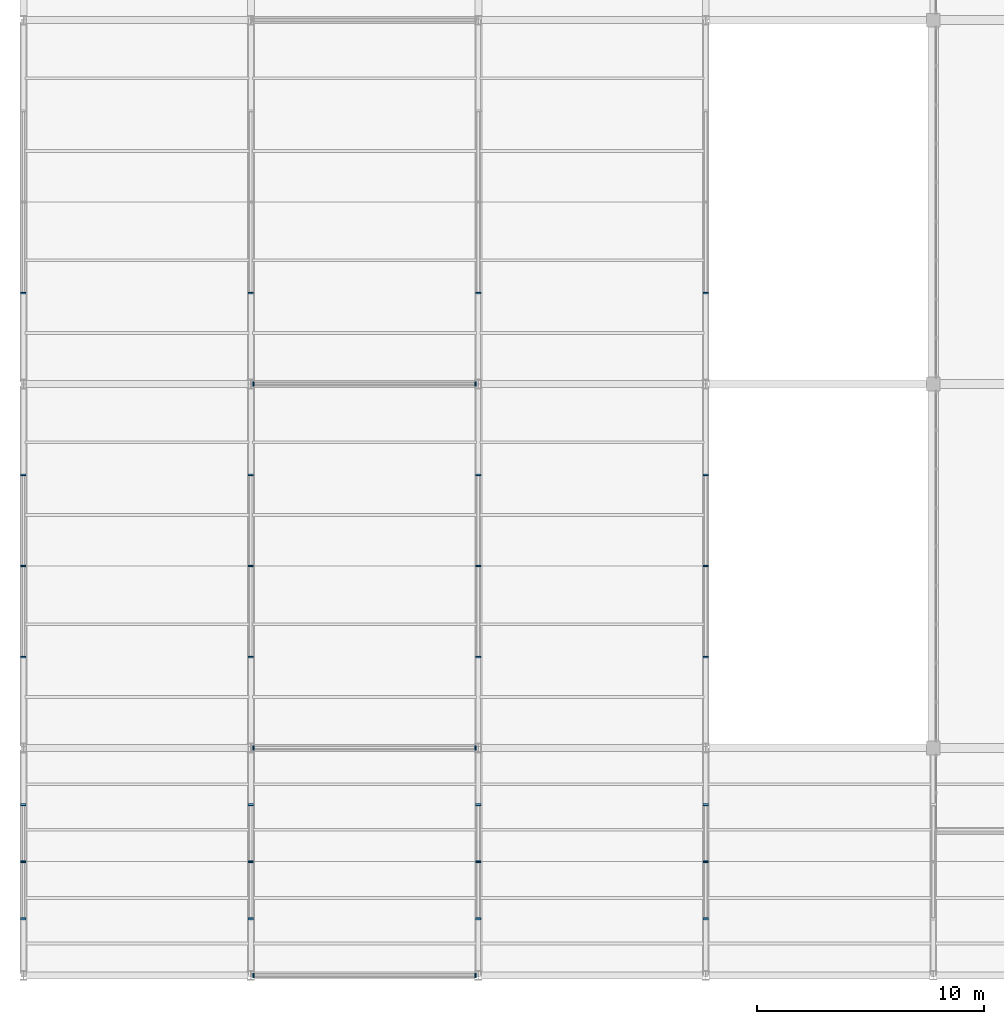
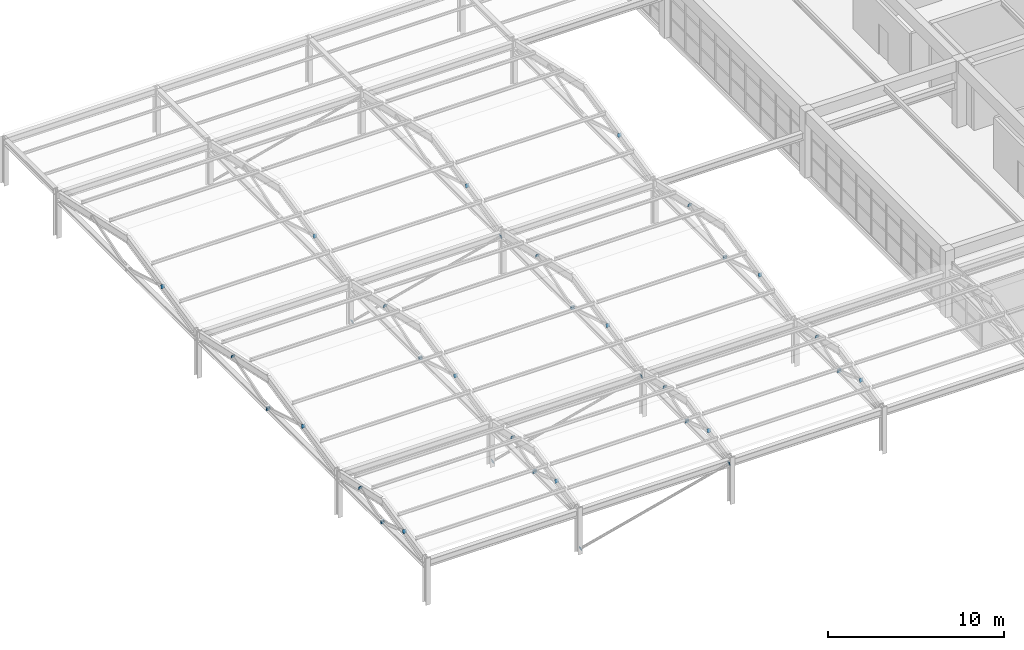
# One storey, part 79 of 109: 42 plates.
"""IFC4 building model written with IfcOpenShell, lengths in metres."""

from ifc_helpers import new_model, si_unit, direction, frame, origin, origin_2d, place, context, subcontext, project, spatial, rectangle, extrude, material, layer, layer_set, type_object, element, save


model = new_model("IFC4")

# Units and contexts
model_context = context("Model", 3, precision=1e-05, world=origin(), true_north=direction((0.0, 1.0)))
body_context = subcontext(model_context, "Body", "Model", "MODEL_VIEW")
ifc_project = project(units=[si_unit("LENGTHUNIT", "METRE"), si_unit("AREAUNIT", "SQUARE_METRE"), si_unit("VOLUMEUNIT", "CUBIC_METRE"), si_unit("PLANEANGLEUNIT", "RADIAN"), si_unit("MASSUNIT", "GRAM", prefix="KILO")], contexts=[model_context])

# Site, building, storey
site_placement = place(None, origin())
site = spatial("IfcSite", under=ifc_project, at=site_placement, CompositionType="ELEMENT")
building_placement = place(site_placement, origin())
building = spatial("IfcBuilding", under=site, at=building_placement, Name="Kivolera Central Railway Station", CompositionType="ELEMENT")
storey_placement = place(building_placement, frame((0.0, 0.0, 9.60009765625)))
storey = spatial("IfcBuildingStorey", under=building, at=storey_placement, Name="L02", CompositionType="ELEMENT", Elevation=9.60009765625)

# Plates
ifc_material = material(Name="Steel S355", Category="steel")
ifc_layer_1 = layer(ifc_material, 0.02001953125, Name="Steel S355")
ifc_layer_set_1 = layer_set([ifc_layer_1], Name="Steel S355")
plate_type_1 = type_object("IfcPlateType", Name="PLT-CAP-210", PredefinedType="SHEET", material=ifc_layer_set_1)
for number, where, z_axis, x_axis, name in (
    (1, (18.123046875, 6.0, 0.2490234375), (0.968639336195, 0.0, 0.24847099705), (0.0, 1.0, 0.0), "Hollow section end-cap plate NP-CAP3"),
    (2, (27.876953125, 6.0, 2.7509765625), (0.968639336195, 0.0, 0.24847099705), (0.0, 1.0, 0.0), "Hollow section end-cap plate NP-CAP3"),
    (3, (18.123046875, 16.0, 0.2490234375), (0.968639336195, 0.0, 0.24847099705), (0.0, 1.0, 0.0), "Hollow section end-cap plate NP-CAP3"),
    (4, (27.876953125, 16.0, 2.7509765625), (0.968639336195, 0.0, 0.24847099705), (0.0, 1.0, 0.0), "Hollow section end-cap plate NP-CAP3"),
    (5, (18.123046875, 32.0, 0.2490234375), (0.968639336195, 0.0, 0.24847099705), (0.0, 1.0, 0.0), "Hollow section end-cap plate NP-CAP3"),
    (6, (27.876953125, 32.0, 2.7509765625), (0.968639336195, 0.0, 0.24847099705), (0.0, 1.0, 0.0), "Hollow section end-cap plate NP-CAP3"),
):
    element("IfcPlate", number, at=place(storey_placement, frame(where, z_axis=z_axis, x_axis=x_axis)), inside=storey, type_object=plate_type_1, Name=name, PredefinedType="SHEET", context=body_context, shape_type="SweptSolid", body=[
        extrude(rectangle(XDim=0.2099609375, YDim=0.2099609375, at=origin_2d()), frame((0.0, 0.0, -0.010009765625)), (0.0, 0.0, 1.0), 0.02001953125),
    ])
ifc_layer_2 = layer(ifc_material, 0.02197265625, Name="Steel S355")
ifc_layer_set_2 = layer_set([ifc_layer_2], Name="Steel S355")
plate_type_2 = type_object("IfcPlateType", Name="PLT-CAP-260", PredefinedType="SHEET", material=ifc_layer_set_2)
for number, where, z_axis, x_axis, name in (
    (7, (8.0, 11.00390625, 2.618896484375), (0.0, -0.946194484088, 0.32359851403), (1.0, 0.0, 0.0), "Hollow section end-cap plate NP-CAP2"),
    (8, (8.0, 8.49609375, 3.475830078125), (0.0, -0.946194484088, 0.32359851403), (1.0, 0.0, 0.0), "Hollow section end-cap plate NP-CAP2"),
    (9, (8.0, 10.99609375, 2.618896484375), (0.0, 0.946194484088, 0.32359851403), (-1.0, 0.0, 0.0), "Hollow section end-cap plate NP-CAP2"),
    (10, (8.0, 13.50390625, 3.475830078125), (0.0, 0.946194484088, 0.32359851403), (-1.0, 0.0, 0.0), "Hollow section end-cap plate NP-CAP2"),
    (11, (8.0, 24.00390625, 2.618896484375), (0.0, -0.958810202665, 0.284047522901), (1.0, 0.0, 0.0), "Hollow section end-cap plate NP-CAP2"),
    (12, (8.0, 19.99609375, 3.805908203125), (0.0, -0.958810202665, 0.284047522901), (1.0, 0.0, 0.0), "Hollow section end-cap plate NP-CAP2"),
    (13, (8.0, 23.99609375, 2.618896484375), (0.0, 0.958810202665, 0.284047522901), (-1.0, 0.0, 0.0), "Hollow section end-cap plate NP-CAP2"),
    (14, (8.0, 28.00390625, 3.805908203125), (0.0, 0.958810202665, 0.284047522901), (-1.0, 0.0, 0.0), "Hollow section end-cap plate NP-CAP2"),
    (15, (8.0, 35.99609375, 3.805908203125), (0.0, -0.958810202665, 0.284047522901), (1.0, 0.0, 0.0), "Hollow section end-cap plate NP-CAP2"),
    (16, (18.0, 11.00390625, 2.618896484375), (0.0, -0.946194484088, 0.32359851403), (1.0, 0.0, 0.0), "Hollow section end-cap plate NP-CAP2"),
    (17, (18.0, 8.49609375, 3.475830078125), (0.0, -0.946194484088, 0.32359851403), (1.0, 0.0, 0.0), "Hollow section end-cap plate NP-CAP2"),
    (18, (18.0, 10.99609375, 2.618896484375), (0.0, 0.946194484088, 0.32359851403), (-1.0, 0.0, 0.0), "Hollow section end-cap plate NP-CAP2"),
    (19, (18.0, 13.50390625, 3.475830078125), (0.0, 0.946194484088, 0.32359851403), (-1.0, 0.0, 0.0), "Hollow section end-cap plate NP-CAP2"),
    (20, (18.0, 24.00390625, 2.618896484375), (0.0, -0.958810202665, 0.284047522901), (1.0, 0.0, 0.0), "Hollow section end-cap plate NP-CAP2"),
    (21, (18.0, 19.99609375, 3.805908203125), (0.0, -0.958810202665, 0.284047522901), (1.0, 0.0, 0.0), "Hollow section end-cap plate NP-CAP2"),
    (22, (18.0, 23.99609375, 2.618896484375), (0.0, 0.958810202665, 0.284047522901), (-1.0, 0.0, 0.0), "Hollow section end-cap plate NP-CAP2"),
    (23, (18.0, 28.00390625, 3.805908203125), (0.0, 0.958810202665, 0.284047522901), (-1.0, 0.0, 0.0), "Hollow section end-cap plate NP-CAP2"),
    (24, (18.0, 35.99609375, 3.805908203125), (0.0, -0.958810202665, 0.284047522901), (1.0, 0.0, 0.0), "Hollow section end-cap plate NP-CAP2"),
    (25, (28.0, 11.00390625, 2.618896484375), (0.0, -0.946194484088, 0.32359851403), (1.0, 0.0, 0.0), "Hollow section end-cap plate NP-CAP2"),
    (26, (28.0, 8.49609375, 3.475830078125), (0.0, -0.946194484088, 0.32359851403), (1.0, 0.0, 0.0), "Hollow section end-cap plate NP-CAP2"),
    (27, (28.0, 10.99609375, 2.618896484375), (0.0, 0.946194484088, 0.32359851403), (-1.0, 0.0, 0.0), "Hollow section end-cap plate NP-CAP2"),
    (28, (28.0, 13.50390625, 3.475830078125), (0.0, 0.946194484088, 0.32359851403), (-1.0, 0.0, 0.0), "Hollow section end-cap plate NP-CAP2"),
    (29, (28.0, 24.00390625, 2.618896484375), (0.0, -0.958810202665, 0.284047522901), (1.0, 0.0, 0.0), "Hollow section end-cap plate NP-CAP2"),
    (30, (28.0, 19.99609375, 3.805908203125), (0.0, -0.958810202665, 0.284047522901), (1.0, 0.0, 0.0), "Hollow section end-cap plate NP-CAP2"),
    (31, (28.0, 23.99609375, 2.618896484375), (0.0, 0.958810202665, 0.284047522901), (-1.0, 0.0, 0.0), "Hollow section end-cap plate NP-CAP2"),
    (32, (28.0, 28.00390625, 3.805908203125), (0.0, 0.958810202665, 0.284047522901), (-1.0, 0.0, 0.0), "Hollow section end-cap plate NP-CAP2"),
    (33, (28.0, 35.99609375, 3.805908203125), (0.0, -0.958810202665, 0.284047522901), (1.0, 0.0, 0.0), "Hollow section end-cap plate NP-CAP2"),
    (34, (38.0, 11.00390625, 2.618896484375), (0.0, -0.946194484088, 0.32359851403), (1.0, 0.0, 0.0), "Hollow section end-cap plate NP-CAP2"),
    (35, (38.0, 8.49609375, 3.475830078125), (0.0, -0.946194484088, 0.32359851403), (1.0, 0.0, 0.0), "Hollow section end-cap plate NP-CAP2"),
    (36, (38.0, 10.99609375, 2.618896484375), (0.0, 0.946194484088, 0.32359851403), (-1.0, 0.0, 0.0), "Hollow section end-cap plate NP-CAP2"),
    (37, (38.0, 13.50390625, 3.475830078125), (0.0, 0.946194484088, 0.32359851403), (-1.0, 0.0, 0.0), "Hollow section end-cap plate NP-CAP2"),
    (38, (38.0, 24.00390625, 2.618896484375), (0.0, -0.958810202665, 0.284047522901), (1.0, 0.0, 0.0), "Hollow section end-cap plate NP-CAP2"),
    (39, (38.0, 19.99609375, 3.805908203125), (0.0, -0.958810202665, 0.284047522901), (1.0, 0.0, 0.0), "Hollow section end-cap plate NP-CAP2"),
    (40, (38.0, 23.99609375, 2.618896484375), (0.0, 0.958810202665, 0.284047522901), (-1.0, 0.0, 0.0), "Hollow section end-cap plate NP-CAP2"),
    (41, (38.0, 28.00390625, 3.805908203125), (0.0, 0.958810202665, 0.284047522901), (-1.0, 0.0, 0.0), "Hollow section end-cap plate NP-CAP2"),
    (42, (38.0, 35.99609375, 3.805908203125), (0.0, -0.958810202665, 0.284047522901), (1.0, 0.0, 0.0), "Hollow section end-cap plate NP-CAP2"),
):
    element("IfcPlate", number, at=place(storey_placement, frame(where, z_axis=z_axis, x_axis=x_axis)), inside=storey, type_object=plate_type_2, Name=name, PredefinedType="SHEET", context=body_context, shape_type="SweptSolid", body=[
        extrude(rectangle(XDim=0.239990234375, YDim=0.239990234375, at=origin_2d()), frame((0.0, 0.0, -0.010986328125)), (0.0, 0.0, 1.0), 0.02197265625),
    ])

save(model, "model.ifc")
